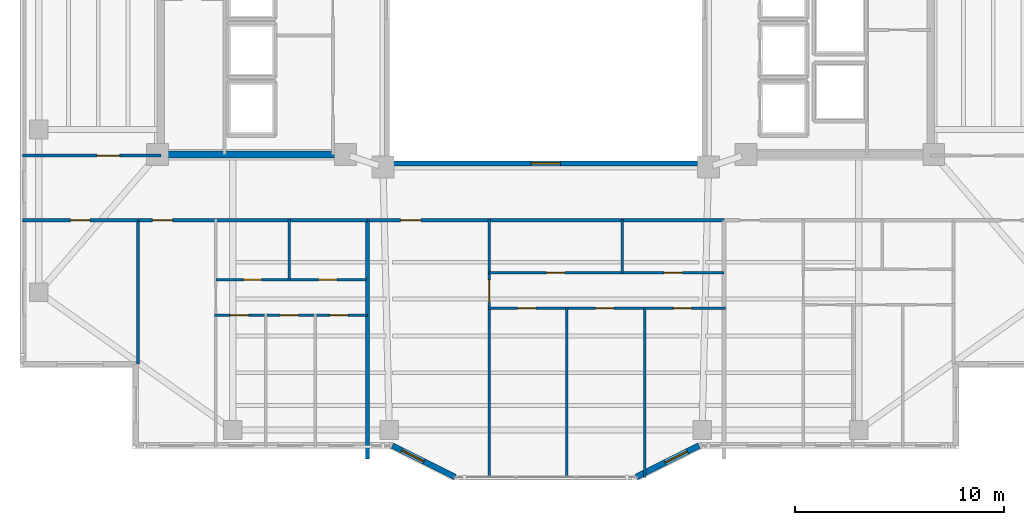
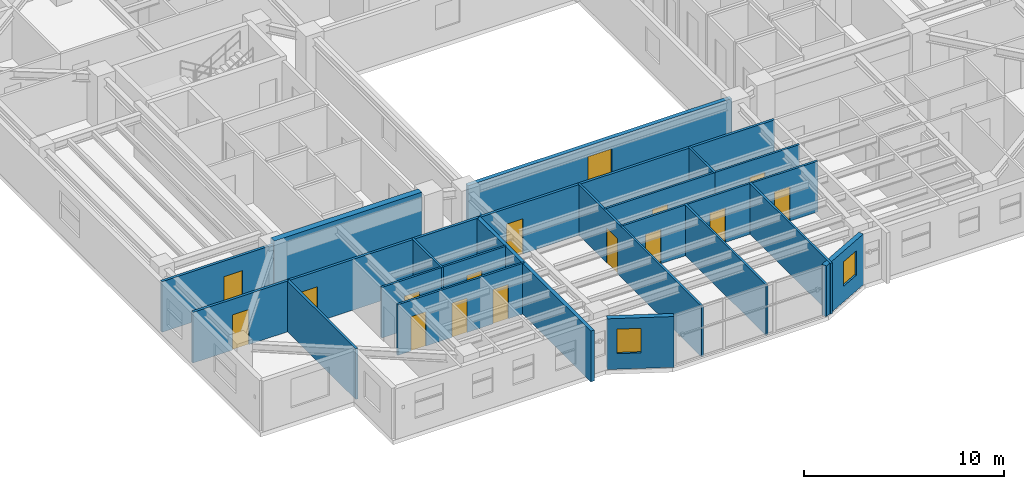
# One storey, part 6 of 16: 21 walls, 15 doors, 3 windows, 18 openings.
"""IFC4 building model written with IfcOpenShell, lengths in metres."""

import ifcopenshell
import ifcopenshell.guid

model = None  # the IFC model being written
_history = None  # IfcOwnerHistory: only IFC2X3 demands one
_inside = {}  # id of a spatial element -> (the spatial element, [elements in it])
_under = {}  # id of a project, library or spatial element -> (it, [spatial elements below it])
_declared = {}  # id of a project -> (the project, [libraries it declares])
_typed = {}  # id of a type object -> (the type object, [elements of that type])
_made_of = {}  # id of a material, layer set ... -> (it, [elements and type objects made of it])


def new_model(schema):
    """Start an empty IFC model of exactly this schema.

    Asked for "IFC4X3", IfcOpenShell would pick the latest addendum, in which some entities
    have other attributes; the version numbers below select the first issue.
    IFC2X3 requires an IfcOwnerHistory on every rooted entity: one is made here for all.
    """
    global model, _history
    if schema == "IFC4X3":
        model = ifcopenshell.file(schema_version=(4, 3, 0, 0))
    else:
        model = ifcopenshell.file(schema=schema)
    _inside.clear()
    _under.clear()
    _declared.clear()
    _typed.clear()
    _made_of.clear()
    _history = None
    if model.schema == "IFC2X3":
        org = make("IfcOrganization", Name="unknown")
        user = make(
            "IfcPersonAndOrganization",
            ThePerson=make("IfcPerson", FamilyName="unknown"),
            TheOrganization=org,
        )
        app = make(
            "IfcApplication",
            ApplicationDeveloper=org,
            Version="unknown",
            ApplicationFullName="unknown",
            ApplicationIdentifier="unknown",
        )
        _history = make(
            "IfcOwnerHistory",
            OwningUser=user,
            OwningApplication=app,
            ChangeAction="ADDED",
            CreationDate=0,
        )
    return model


def make(cls, **values):
    """One entity of the class cls with the attributes given. An attribute that is None is left unset."""
    return model.create_entity(
        cls, **{name: value for name, value in values.items() if value is not None}
    )


def rooted(cls, **values):
    """An entity with a GlobalId (a new one), such as an element, a storey or a relation."""
    return make(cls, GlobalId=ifcopenshell.guid.new(), OwnerHistory=_history, **values)


def si_unit(unit_type, name, prefix=None):
    """IfcSIUnit, for example si_unit("LENGTHUNIT", "METRE", prefix="MILLI")."""
    return make("IfcSIUnit", UnitType=unit_type, Prefix=prefix, Name=name)


def assignment(units):
    """IfcUnitAssignment: the units of a project."""
    return None if units is None else make("IfcUnitAssignment", Units=units)


def point(xyz):
    """IfcCartesianPoint."""
    return None if xyz is None else make("IfcCartesianPoint", Coordinates=xyz)


def direction(xyz):
    """IfcDirection."""
    return None if xyz is None else make("IfcDirection", DirectionRatios=xyz)


def frame(location, z_axis=None, x_axis=None):
    """IfcAxis2Placement3D, a coordinate frame: its origin and axes. An axis left out is left unset."""
    return make(
        "IfcAxis2Placement3D",
        Location=point(location),
        Axis=direction(z_axis),
        RefDirection=direction(x_axis),
    )


def frame_2d(location, x_axis=None):
    """IfcAxis2Placement2D, a coordinate frame in the plane: its origin and x axis."""
    return make(
        "IfcAxis2Placement2D", Location=point(location), RefDirection=direction(x_axis)
    )


def origin():
    """The frame at (0, 0, 0) with its axes left unset."""
    return frame((0.0, 0.0, 0.0))


def place(relative_to, where):
    """IfcLocalPlacement: puts the frame where relative to a parent placement (None: the world)."""
    return make(
        "IfcLocalPlacement", PlacementRelTo=relative_to, RelativePlacement=where
    )


def context(
    kind, dimensions, precision=None, world=None, true_north=None, identifier=None
):
    """IfcGeometricRepresentationContext, for example the 3D "Model" context."""
    return make(
        "IfcGeometricRepresentationContext",
        ContextIdentifier=identifier,
        ContextType=kind,
        CoordinateSpaceDimension=dimensions,
        Precision=precision,
        WorldCoordinateSystem=world,
        TrueNorth=true_north,
    )


def subcontext(parent, identifier, kind, view, scale=None):
    """IfcGeometricRepresentationSubContext, for example "Body" below "Model"."""
    return make(
        "IfcGeometricRepresentationSubContext",
        ContextIdentifier=identifier,
        ContextType=kind,
        ParentContext=parent,
        TargetScale=scale,
        TargetView=view,
    )


def project(units=None, contexts=None):
    """IfcProject with its units and contexts."""
    return rooted(
        "IfcProject",
        Name="project",
        RepresentationContexts=contexts,
        UnitsInContext=assignment(units),
    )


def spatial(cls, under=None, at=None, **own):
    """A site, building, storey or space (cls), placed at a placement, below another one or the project."""
    s = rooted(cls, ObjectPlacement=at, **own)
    if under is not None:
        _under.setdefault(under.id(), (under, []))[1].append(s)
    return s


def profile(cls, at=None, kind="AREA", **sizes):
    """A parametric profile (cls). Its sizes go by their IFC names, for example OverallWidth=200.0."""
    return make(cls, ProfileType=kind, Position=at, **sizes)


def rectangle(**sizes):
    """IfcRectangleProfileDef."""
    return profile("IfcRectangleProfileDef", **sizes)


def extrude(swept, where, along, depth):
    """IfcExtrudedAreaSolid: the profile swept, set in the frame where, extruded along a direction by depth."""
    return make(
        "IfcExtrudedAreaSolid",
        SweptArea=swept,
        Position=where,
        ExtrudedDirection=direction(along),
        Depth=depth,
    )


def shape(context_of_items, identifier, shape_type, items):
    """IfcShapeRepresentation: the items that make up one representation, for example the "Body"."""
    return make(
        "IfcShapeRepresentation",
        ContextOfItems=context_of_items,
        RepresentationIdentifier=identifier,
        RepresentationType=shape_type,
        Items=items,
    )


def material(Name=None, Category=None):
    """IfcMaterial."""
    return make("IfcMaterial", Name=Name, Category=Category)


def layer(
    of_material, thickness, ventilated=None, Name=None, Category=None, Priority=None
):
    """IfcMaterialLayer: one layer of a wall or slab, of a material (None: an air gap)."""
    return make(
        "IfcMaterialLayer",
        Material=of_material,
        LayerThickness=thickness,
        IsVentilated=ventilated,
        Name=Name,
        Category=Category,
        Priority=Priority,
    )


def layer_set(layers, Name=None):
    """IfcMaterialLayerSet."""
    return make("IfcMaterialLayerSet", MaterialLayers=layers, LayerSetName=Name)


def made_of(thing, what):
    """Note that an element or type object is made of a material, layer set ...; save() writes the relation."""
    if what is not None:
        _made_of.setdefault(what.id(), (what, []))[1].append(thing)
    return thing


def type_object(cls, material=None, **own):
    """A type object (cls), such as IfcWallType, which elements share."""
    return made_of(rooted(cls, **own), material)


def element(
    cls,
    number,
    at=None,
    inside=None,
    cuts=None,
    type_object=None,
    material=None,
    context=None,
    identifier="Body",
    shape_type=None,
    held_by="IfcProductDefinitionShape",
    body=None,
    shapes=None,
    **own,
):
    """One element of the class cls, such as IfcWall. Its Tag is "e" and its number.

    at: its placement. inside: the storey or other place that contains it. cuts: it is an
    opening in that element (IfcRelVoidsElement). A single representation is given by context,
    identifier, shape_type and body (its items); several are given by shapes. held_by: the class
    of the entity that holds the representations. save() writes the other relations.
    """
    e = rooted(cls, Tag="e%d" % number, ObjectPlacement=at, **own)
    if body is not None:
        shapes = [shape(context, identifier, shape_type, body)]
    if shapes is not None:
        e.Representation = make(held_by, Representations=shapes)
    if inside is not None:
        _inside.setdefault(inside.id(), (inside, []))[1].append(e)
    if cuts is not None:
        rooted(
            "IfcRelVoidsElement", RelatingBuildingElement=cuts, RelatedOpeningElement=e
        )
    if type_object is not None:
        _typed.setdefault(type_object.id(), (type_object, []))[1].append(e)
    return made_of(e, material)


def fill(opening, filler):
    """IfcRelFillsElement: the door or window that sits in an opening."""
    return rooted(
        "IfcRelFillsElement",
        RelatingOpeningElement=opening,
        RelatedBuildingElement=filler,
    )


def aggregate(whole, parts):
    """IfcRelAggregates: a whole, such as a stair, and the parts it consists of."""
    return rooted("IfcRelAggregates", RelatingObject=whole, RelatedObjects=parts)


def save(model, path):
    """Write the relations noted so far, then the file.

    IfcRelAggregates (storeys below a building ...), IfcRelContainedInSpatialStructure (elements
    in a storey), IfcRelDefinesByType, IfcRelAssociatesMaterial and IfcRelDeclares: one each for
    every whole, place, type object, material and project.
    """
    for whole, parts in _under.values():
        aggregate(whole, parts)
    for where, things in _inside.values():
        rooted(
            "IfcRelContainedInSpatialStructure",
            RelatedElements=things,
            RelatingStructure=where,
        )
    for kind, things in _typed.values():
        rooted("IfcRelDefinesByType", RelatedObjects=things, RelatingType=kind)
    for what, things in _made_of.values():
        rooted("IfcRelAssociatesMaterial", RelatedObjects=things, RelatingMaterial=what)
    for by, libraries in _declared.values():
        rooted("IfcRelDeclares", RelatingContext=by, RelatedDefinitions=libraries)
    model.write(path)


model = new_model("IFC4")

# Units and contexts
model_context = context("Model", 3, precision=1e-05, world=origin(), true_north=direction((0.0, 1.0)))
body_context = subcontext(model_context, "Body", "Model", "MODEL_VIEW")
ifc_project = project(units=[si_unit("LENGTHUNIT", "METRE"), si_unit("AREAUNIT", "SQUARE_METRE"), si_unit("VOLUMEUNIT", "CUBIC_METRE"), si_unit("PLANEANGLEUNIT", "RADIAN"), si_unit("MASSUNIT", "GRAM", prefix="KILO")], contexts=[model_context])

# Site, building, storey
site_placement = place(None, origin())
site = spatial("IfcSite", under=ifc_project, at=site_placement, CompositionType="ELEMENT")
building_placement = place(site_placement, origin())
building = spatial("IfcBuilding", under=site, at=building_placement, Name="Tarnavaz Court Tower", CompositionType="ELEMENT")
storey_placement = place(building_placement, frame((0.0, 0.0, 146.0)))
storey = spatial("IfcBuildingStorey", under=building, at=storey_placement, Name="L39", CompositionType="ELEMENT", Elevation=146.0)

# Wall
ifc_material_1 = material(Name="Concrete C50/60", Category="concrete")
ifc_layer_1 = layer(ifc_material_1, 0.35009765625)
ifc_layer_set_1 = layer_set([ifc_layer_1], Name="Concrete C50/60")
wall_type_1 = type_object("IfcWallType", Name="WL-CORE-350-C50", PredefinedType="SHEAR", material=ifc_layer_set_1)
wall_1_placement = place(storey_placement, frame((-18.625, -7.199951171875, 0.0), z_axis=(0.0, 0.0, 1.0), x_axis=(1.0, 0.0, 0.0)))
element("IfcWall", 1, at=wall_1_placement, inside=storey, type_object=wall_type_1, Name="L39 West Core South Shear Wall 058", PredefinedType="SHEAR", context=body_context, shape_type="SweptSolid", body=[
    extrude(rectangle(XDim=8.550048828125, YDim=0.35009765625, at=frame_2d((4.27490234375, 0.0))), origin(), (0.0, 0.0, 1.0), 3.35009765625),
])

# Wall, opening, window
ifc_material_2 = material(Name="Precast Concrete C40/50", Category="concrete")
ifc_layer_2 = layer(ifc_material_2, 0.280029296875)
ifc_layer_set_2 = layer_set([ifc_layer_2], Name="Precast Concrete C40/50")
wall_type_2 = type_object("IfcWallType", Name="WL-EXT-280", PredefinedType="SOLIDWALL", material=ifc_layer_set_2)
wall_2_placement = place(storey_placement, frame((7.35009765625, -21.14990234375, 0.0), z_axis=(0.0, 0.0, 1.0), x_axis=(-0.894427191, -0.4472135955, 0.0)))
wall_2 = element("IfcWall", 2, at=wall_2_placement, inside=storey, type_object=wall_type_2, Name="L39 Exterior Terracotta Facade Wall 16", PredefinedType="SOLIDWALL", context=body_context, shape_type="SweptSolid", body=[
    extrude(rectangle(XDim=3.35400390625, YDim=0.280029296875, at=frame_2d((1.677001953125, 0.0))), origin(), (0.0, 0.0, 1.0), 3.10009765625),
])
opening_1_placement = place(wall_2_placement, frame((0.62158203125, 0.0, 0.949951171875)))
opening_1 = element("IfcOpeningElement", 3, at=opening_1_placement, cuts=wall_2, Name="Opening W05", PredefinedType="OPENING", context=body_context, shape_type="SweptSolid", body=[
    extrude(rectangle(XDim=1.199951171875, YDim=1.5, at=frame_2d((0.60009765625, 0.75))), frame((0.0, 0.14990234375, 0.0), z_axis=(0.0, -1.0, 0.0), x_axis=(1.0, 0.0, 0.0)), (0.0, 0.0, 1.0), 0.300048828125),
])
ifc_material_3 = material(Name="Double-Glazed Solar Low-E Glass", Category="glass")
window_type_1 = type_object("IfcWindowType", Name="WN-APT-1200", PartitioningType="SINGLE_PANEL", PredefinedType="WINDOW", material=ifc_material_3)
window_1_placement = place(opening_1_placement, origin())
window_1 = element("IfcWindow", 4, at=window_1_placement, inside=storey, type_object=window_type_1, Name="L39 Flat 05 Bedroom 3 Window", OverallHeight=1.5, OverallWidth=1.199951171875, PartitioningType="SINGLE_PANEL", PredefinedType="WINDOW", context=body_context, shape_type="SweptSolid", body=[
    extrude(rectangle(XDim=1.199951171875, YDim=1.5, at=frame_2d((0.60009765625, 0.75))), frame((0.0, 0.030029296875, 0.0), z_axis=(0.0, -1.0, 0.0), x_axis=(1.0, 0.0, 0.0)), (0.0, 0.0, 1.0), 0.06005859375),
])
fill(opening_1, window_1)

wall_3_placement = place(storey_placement, frame((-4.35009765625, -22.64990234375, 0.0), z_axis=(0.0, 0.0, 1.0), x_axis=(-0.894427191, 0.4472135955, 0.0)))
wall_3 = element("IfcWall", 5, at=wall_3_placement, inside=storey, type_object=wall_type_2, Name="L39 Exterior Terracotta Facade Wall 18", PredefinedType="SOLIDWALL", context=body_context, shape_type="SweptSolid", body=[
    extrude(rectangle(XDim=3.35400390625, YDim=0.280029296875, at=frame_2d((1.677001953125, 0.0))), origin(), (0.0, 0.0, 1.0), 3.10009765625),
])
opening_2_placement = place(wall_3_placement, frame((1.65283203125, 0.0, 0.949951171875)))
opening_2 = element("IfcOpeningElement", 6, at=opening_2_placement, cuts=wall_3, Name="Opening W05", PredefinedType="OPENING", context=body_context, shape_type="SweptSolid", body=[
    extrude(rectangle(XDim=1.199951171875, YDim=1.5, at=frame_2d((0.60009765625, 0.75))), frame((0.0, 0.14990234375, 0.0), z_axis=(0.0, -1.0, 0.0), x_axis=(1.0, 0.0, 0.0)), (0.0, 0.0, 1.0), 0.300048828125),
])
window_2_placement = place(opening_2_placement, origin())
window_2 = element("IfcWindow", 7, at=window_2_placement, inside=storey, type_object=window_type_1, Name="L39 Flat 05 Living and Dining Room Window", OverallHeight=1.5, OverallWidth=1.199951171875, PartitioningType="SINGLE_PANEL", PredefinedType="WINDOW", context=body_context, shape_type="SweptSolid", body=[
    extrude(rectangle(XDim=1.199951171875, YDim=1.5, at=frame_2d((0.60009765625, 0.75))), frame((0.0, 0.030029296875, 0.0), z_axis=(0.0, -1.0, 0.0), x_axis=(1.0, 0.0, 0.0)), (0.0, 0.0, 1.0), 0.06005859375),
])
fill(opening_2, window_2)

# Wall, opening, door
ifc_material_4 = material(Name="Gypsum Fire-Board on Acoustic Metal Stud", Category="masonry")
ifc_layer_3 = layer(ifc_material_4, 0.14990234375)
ifc_layer_set_3 = layer_set([ifc_layer_3], Name="Gypsum Fire-Board on Acoustic Metal Stud")
wall_type_3 = type_object("IfcWallType", Name="WL-FIRE-150", PredefinedType="PARTITIONING", material=ifc_layer_set_3)
wall_4_placement = place(storey_placement, frame((-19.550048828125, -10.35009765625, 0.0), z_axis=(0.0, 0.0, 1.0), x_axis=(1.0, 0.0, 0.0)))
wall_4 = element("IfcWall", 8, at=wall_4_placement, inside=storey, type_object=wall_type_3, Name="L39 SW Horseshoe Wall 073", PredefinedType="PARTITIONING", context=body_context, shape_type="SweptSolid", body=[
    extrude(rectangle(XDim=11.0, YDim=0.14990234375, at=frame_2d((5.5, 0.0))), origin(), (0.0, 0.0, 1.0), 3.10009765625),
])
opening_3_placement = place(wall_4_placement, frame((0.699951171875, 0.0, 0.0)))
opening_3 = element("IfcOpeningElement", 9, at=opening_3_placement, cuts=wall_4, Name="Opening D06", PredefinedType="OPENING", context=body_context, shape_type="SweptSolid", body=[
    extrude(rectangle(XDim=0.9599609375, YDim=2.14990234375, at=frame_2d((0.47998046875, 1.074951171875))), frame((0.0, 0.0849609375, 0.0), z_axis=(0.0, -1.0, 0.0), x_axis=(1.0, 0.0, 0.0)), (0.0, 0.0, 1.0), 0.169921875),
])
ifc_material_5 = material(Name="Fire-Rated Hardwood Timber Core", Category="wood")
door_type_1 = type_object("IfcDoorType", Name="DR-FD60-950", OperationType="NOTDEFINED", PredefinedType="DOOR", material=ifc_material_5)
door_1_placement = place(opening_3_placement, origin())
door_1 = element("IfcDoor", 10, at=door_1_placement, inside=storey, type_object=door_type_1, Name="L39 Flat 03 Entrance Door", OperationType="SINGLE_SWING_LEFT", OverallHeight=2.14990234375, OverallWidth=0.9599609375, PredefinedType="DOOR", context=body_context, shape_type="SweptSolid", body=[
    extrude(rectangle(XDim=0.9599609375, YDim=2.14990234375, at=frame_2d((0.47998046875, 1.074951171875))), frame((0.0, 0.02490234375, 0.0), z_axis=(0.0, -1.0, 0.0), x_axis=(1.0, 0.0, 0.0)), (0.0, 0.0, 1.0), 0.050048828125),
])
fill(opening_3, door_1)

wall_5_placement = place(storey_placement, frame((-8.550048828125, -10.35009765625, 0.0), z_axis=(0.0, 0.0, 1.0), x_axis=(1.0, 0.0, 0.0)))
wall_5 = element("IfcWall", 11, at=wall_5_placement, inside=storey, type_object=wall_type_3, Name="L39 Interior Partition 106", PredefinedType="PARTITIONING", context=body_context, shape_type="SweptSolid", body=[
    extrude(rectangle(XDim=17.10009765625, YDim=0.14990234375, at=frame_2d((8.550048828125, 0.0))), origin(), (0.0, 0.0, 1.0), 3.10009765625),
])
opening_4_placement = place(wall_5_placement, frame((1.60009765625, 0.0, 0.0)))
opening_4 = element("IfcOpeningElement", 12, at=opening_4_placement, cuts=wall_5, Name="Opening D06", PredefinedType="OPENING", context=body_context, shape_type="SweptSolid", body=[
    extrude(rectangle(XDim=0.9599609375, YDim=2.14990234375, at=frame_2d((0.47998046875, 1.074951171875))), frame((0.0, 0.0849609375, 0.0), z_axis=(0.0, -1.0, 0.0), x_axis=(1.0, 0.0, 0.0)), (0.0, 0.0, 1.0), 0.169921875),
])
door_2_placement = place(opening_4_placement, origin())
door_2 = element("IfcDoor", 13, at=door_2_placement, inside=storey, type_object=door_type_1, Name="L39 Flat 05 Entrance Door", OperationType="SINGLE_SWING_LEFT", OverallHeight=2.14990234375, OverallWidth=0.9599609375, PredefinedType="DOOR", context=body_context, shape_type="SweptSolid", body=[
    extrude(rectangle(XDim=0.9599609375, YDim=2.14990234375, at=frame_2d((0.47998046875, 1.074951171875))), frame((0.0, 0.02490234375, 0.0), z_axis=(0.0, -1.0, 0.0), x_axis=(1.0, 0.0, 0.0)), (0.0, 0.0, 1.0), 0.050048828125),
])
fill(opening_4, door_2)

wall_6_placement = place(storey_placement, frame((-25.080078125, -7.25, 0.0), z_axis=(0.0, 0.0, 1.0), x_axis=(1.0, 0.0, 0.0)))
wall_6 = element("IfcWall", 14, at=wall_6_placement, inside=storey, type_object=wall_type_3, Name="L39 Interior Partition 114", PredefinedType="PARTITIONING", context=body_context, shape_type="SweptSolid", body=[
    extrude(rectangle(XDim=6.630126953125, YDim=0.14990234375, at=frame_2d((3.31494140625, 0.0))), origin(), (0.0, 0.0, 1.0), 3.10009765625),
])
opening_5_placement = place(wall_6_placement, frame((3.580078125, 0.0, 0.0)))
opening_5 = element("IfcOpeningElement", 15, at=opening_5_placement, cuts=wall_6, Name="Opening D12", PredefinedType="OPENING", context=body_context, shape_type="SweptSolid", body=[
    extrude(rectangle(XDim=1.080078125, YDim=2.14990234375, at=frame_2d((0.5400390625, 1.074951171875))), frame((0.0, 0.0849609375, 0.0), z_axis=(0.0, -1.0, 0.0), x_axis=(1.0, 0.0, 0.0)), (0.0, 0.0, 1.0), 0.169921875),
])
ifc_material_6 = material(Name="Engineered Oak Timber", Category="wood")
door_type_2 = type_object("IfcDoorType", Name="DR-INT-1100", OperationType="NOTDEFINED", PredefinedType="DOOR", material=ifc_material_6)
door_3_placement = place(opening_5_placement, origin())
door_3 = element("IfcDoor", 16, at=door_3_placement, inside=storey, type_object=door_type_2, Name="L39 West Study Gallery Door", OperationType="SINGLE_SWING_RIGHT", OverallHeight=2.14990234375, OverallWidth=1.080078125, PredefinedType="DOOR", context=body_context, shape_type="SweptSolid", body=[
    extrude(rectangle(XDim=1.080078125, YDim=2.14990234375, at=frame_2d((0.5400390625, 1.074951171875))), frame((0.0, 0.02490234375, 0.0), z_axis=(0.0, -1.0, 0.0), x_axis=(1.0, 0.0, 0.0)), (0.0, 0.0, 1.0), 0.050048828125),
])
fill(opening_5, door_3)

wall_7_placement = place(storey_placement, frame((-25.080078125, -10.35009765625, 0.0), z_axis=(0.0, 0.0, 1.0), x_axis=(1.0, 0.0, 0.0)))
wall_7 = element("IfcWall", 17, at=wall_7_placement, inside=storey, type_object=wall_type_3, Name="L39 Interior Partition 124", PredefinedType="PARTITIONING", context=body_context, shape_type="SweptSolid", body=[
    extrude(rectangle(XDim=5.530029296875, YDim=0.14990234375, at=frame_2d((2.76513671875, 0.0))), origin(), (0.0, 0.0, 1.0), 3.10009765625),
])
opening_6_placement = place(wall_7_placement, frame((2.2900390625, 0.0, 0.0)))
opening_6 = element("IfcOpeningElement", 18, at=opening_6_placement, cuts=wall_7, Name="Opening D13", PredefinedType="OPENING", context=body_context, shape_type="SweptSolid", body=[
    extrude(rectangle(XDim=0.949951171875, YDim=2.14990234375, at=frame_2d((0.47509765625, 1.074951171875))), frame((0.0, 0.0849609375, 0.0), z_axis=(0.0, -1.0, 0.0), x_axis=(1.0, 0.0, 0.0)), (0.0, 0.0, 1.0), 0.169921875),
])
door_type_3 = type_object("IfcDoorType", Name="DR-INT-950", OperationType="NOTDEFINED", PredefinedType="DOOR", material=ifc_material_6)
door_4_placement = place(opening_6_placement, origin())
door_4 = element("IfcDoor", 19, at=door_4_placement, inside=storey, type_object=door_type_3, Name="L39 SW Reading Room Door", OperationType="SINGLE_SWING_RIGHT", OverallHeight=2.14990234375, OverallWidth=0.949951171875, PredefinedType="DOOR", context=body_context, shape_type="SweptSolid", body=[
    extrude(rectangle(XDim=0.949951171875, YDim=2.14990234375, at=frame_2d((0.47509765625, 1.074951171875))), frame((0.0, 0.02490234375, 0.0), z_axis=(0.0, -1.0, 0.0), x_axis=(1.0, 0.0, 0.0)), (0.0, 0.0, 1.0), 0.050048828125),
])
fill(opening_6, door_4)

# Wall
ifc_material_7 = material(Name="Autoclaved Aerated Concrete Blockwork", Category="masonry")
ifc_layer_4 = layer(ifc_material_7, 0.199951171875)
ifc_layer_set_4 = layer_set([ifc_layer_4], Name="Autoclaved Aerated Concrete Blockwork")
wall_type_4 = type_object("IfcWallType", Name="WL-FIRE-200", PredefinedType="SOLIDWALL", material=ifc_layer_set_4)
wall_8_placement = place(storey_placement, frame((-8.550048828125, -21.803955078125, 0.0), z_axis=(0.0, 0.0, 1.0), x_axis=(0.0, 1.0, 0.0)))
element("IfcWall", 20, at=wall_8_placement, inside=storey, type_object=wall_type_4, Name="L39 Party Wall 104", PredefinedType="SOLIDWALL", context=body_context, shape_type="SweptSolid", body=[
    extrude(rectangle(XDim=11.453857421875, YDim=0.199951171875, at=frame_2d((5.72705078125, 0.0))), origin(), (0.0, 0.0, 1.0), 3.10009765625),
])

# Wall, opening, door
ifc_material_8 = material(Name="Moisture-Resistant Gypsum Board Partition", Category="masonry")
ifc_layer_5 = layer(ifc_material_8, 0.1201171875)
ifc_layer_set_5 = layer_set([ifc_layer_5], Name="Moisture-Resistant Gypsum Board Partition")
wall_type_5 = type_object("IfcWallType", Name="WL-PART-120", PredefinedType="PARTITIONING", material=ifc_layer_set_5)
wall_9_placement = place(storey_placement, frame((-15.80810546875, -13.199951171875, 0.0), z_axis=(0.0, 0.0, 1.0), x_axis=(1.0, 0.0, 0.0)))
wall_9 = element("IfcWall", 21, at=wall_9_placement, inside=storey, type_object=wall_type_5, Name="L39 Interior Partition 091", PredefinedType="PARTITIONING", context=body_context, shape_type="SweptSolid", body=[
    extrude(rectangle(XDim=3.503173828125, YDim=0.1201171875, at=frame_2d((1.75146484375, 0.0))), origin(), (0.0, 0.0, 1.0), 3.10009765625),
])
opening_7_placement = place(wall_9_placement, frame((1.31201171875, 0.0, 0.0)))
opening_7 = element("IfcOpeningElement", 22, at=opening_7_placement, cuts=wall_9, Name="Opening D14", PredefinedType="OPENING", context=body_context, shape_type="SweptSolid", body=[
    extrude(rectangle(XDim=0.8798828125, YDim=2.10009765625, at=frame_2d((0.43994140625, 1.050048828125))), frame((0.0, 0.070068359375, 0.0), z_axis=(0.0, -1.0, 0.0), x_axis=(1.0, 0.0, 0.0)), (0.0, 0.0, 1.0), 0.14013671875),
])
door_type_4 = type_object("IfcDoorType", Name="DR-INT-900", OperationType="NOTDEFINED", PredefinedType="DOOR", material=ifc_material_6)
door_5_placement = place(opening_7_placement, origin())
door_5 = element("IfcDoor", 23, at=door_5_placement, inside=storey, type_object=door_type_4, Name="L39 Flat 03 Kitchen Door", OperationType="SINGLE_SWING_LEFT", OverallHeight=2.10009765625, OverallWidth=0.8798828125, PredefinedType="DOOR", context=body_context, shape_type="SweptSolid", body=[
    extrude(rectangle(XDim=0.8798828125, YDim=2.10009765625, at=frame_2d((0.43994140625, 1.050048828125))), frame((0.0, 0.02490234375, 0.0), z_axis=(0.0, -1.0, 0.0), x_axis=(1.0, 0.0, 0.0)), (0.0, 0.0, 1.0), 0.050048828125),
])
fill(opening_7, door_5)

wall_10_placement = place(storey_placement, frame((-12.304931640625, -13.199951171875, 0.0), z_axis=(0.0, 0.0, 1.0), x_axis=(1.0, 0.0, 0.0)))
wall_10 = element("IfcWall", 24, at=wall_10_placement, inside=storey, type_object=wall_type_5, Name="L39 Interior Partition 092", PredefinedType="PARTITIONING", context=body_context, shape_type="SweptSolid", body=[
    extrude(rectangle(XDim=3.704833984375, YDim=0.1201171875, at=frame_2d((1.8525390625, 0.0))), origin(), (0.0, 0.0, 1.0), 3.10009765625),
])
opening_8_placement = place(wall_10_placement, frame((1.4130859375, 0.0, 0.0)))
opening_8 = element("IfcOpeningElement", 25, at=opening_8_placement, cuts=wall_10, Name="Opening D14", PredefinedType="OPENING", context=body_context, shape_type="SweptSolid", body=[
    extrude(rectangle(XDim=0.8798828125, YDim=2.10009765625, at=frame_2d((0.43994140625, 1.050048828125))), frame((0.0, 0.070068359375, 0.0), z_axis=(0.0, -1.0, 0.0), x_axis=(1.0, 0.0, 0.0)), (0.0, 0.0, 1.0), 0.14013671875),
])
door_6_placement = place(opening_8_placement, origin())
door_6 = element("IfcDoor", 26, at=door_6_placement, inside=storey, type_object=door_type_4, Name="L39 Flat 03 Bathroom Door", OperationType="SINGLE_SWING_RIGHT", OverallHeight=2.10009765625, OverallWidth=0.8798828125, PredefinedType="DOOR", context=body_context, shape_type="SweptSolid", body=[
    extrude(rectangle(XDim=0.8798828125, YDim=2.10009765625, at=frame_2d((0.43994140625, 1.050048828125))), frame((0.0, 0.02490234375, 0.0), z_axis=(0.0, -1.0, 0.0), x_axis=(1.0, 0.0, 0.0)), (0.0, 0.0, 1.0), 0.050048828125),
])
fill(opening_8, door_6)

# Wall, openings, doors
wall_11_placement = place(storey_placement, frame((-15.867919921875, -14.909912109375, 0.0), z_axis=(0.0, 0.0, 1.0), x_axis=(1.0, 0.0, 0.0)))
wall_11 = element("IfcWall", 27, at=wall_11_placement, inside=storey, type_object=wall_type_5, Name="L39 Interior Partition 093", PredefinedType="PARTITIONING", context=body_context, shape_type="SweptSolid", body=[
    extrude(rectangle(XDim=7.327880859375, YDim=0.1201171875, at=frame_2d((3.6640625, 0.0))), origin(), (0.0, 0.0, 1.0), 3.10009765625),
])
opening_9_placement = place(wall_11_placement, frame((0.7509765625, 0.0, 0.0)))
opening_9 = element("IfcOpeningElement", 28, at=opening_9_placement, cuts=wall_11, Name="Opening D14", PredefinedType="OPENING", context=body_context, shape_type="SweptSolid", body=[
    extrude(rectangle(XDim=0.8798828125, YDim=2.10009765625, at=frame_2d((0.43994140625, 1.050048828125))), frame((0.0, 0.070068359375, 0.0), z_axis=(0.0, -1.0, 0.0), x_axis=(1.0, 0.0, 0.0)), (0.0, 0.0, 1.0), 0.14013671875),
])
opening_10_placement = place(wall_11_placement, frame((3.134033203125, 0.0, 0.0)))
opening_10 = element("IfcOpeningElement", 29, at=opening_10_placement, cuts=wall_11, Name="Opening D14", PredefinedType="OPENING", context=body_context, shape_type="SweptSolid", body=[
    extrude(rectangle(XDim=0.8798828125, YDim=2.10009765625, at=frame_2d((0.43994140625, 1.050048828125))), frame((0.0, 0.070068359375, 0.0), z_axis=(0.0, -1.0, 0.0), x_axis=(1.0, 0.0, 0.0)), (0.0, 0.0, 1.0), 0.14013671875),
])
opening_11_placement = place(wall_11_placement, frame((5.51708984375, 0.0, 0.0)))
opening_11 = element("IfcOpeningElement", 30, at=opening_11_placement, cuts=wall_11, Name="Opening D14", PredefinedType="OPENING", context=body_context, shape_type="SweptSolid", body=[
    extrude(rectangle(XDim=0.8798828125, YDim=2.10009765625, at=frame_2d((0.43994140625, 1.050048828125))), frame((0.0, 0.070068359375, 0.0), z_axis=(0.0, -1.0, 0.0), x_axis=(1.0, 0.0, 0.0)), (0.0, 0.0, 1.0), 0.14013671875),
])
door_7_placement = place(opening_9_placement, origin())
door_7 = element("IfcDoor", 31, at=door_7_placement, inside=storey, type_object=door_type_4, Name="L39 Flat 03 Bedroom 1 Door", OperationType="SINGLE_SWING_LEFT", OverallHeight=2.10009765625, OverallWidth=0.8798828125, PredefinedType="DOOR", context=body_context, shape_type="SweptSolid", body=[
    extrude(rectangle(XDim=0.8798828125, YDim=2.10009765625, at=frame_2d((0.43994140625, 1.050048828125))), frame((0.0, 0.02490234375, 0.0), z_axis=(0.0, -1.0, 0.0), x_axis=(1.0, 0.0, 0.0)), (0.0, 0.0, 1.0), 0.050048828125),
])
fill(opening_9, door_7)
door_8_placement = place(opening_10_placement, origin())
door_8 = element("IfcDoor", 32, at=door_8_placement, inside=storey, type_object=door_type_4, Name="L39 Flat 03 Bedroom 2 Door", OperationType="SINGLE_SWING_RIGHT", OverallHeight=2.10009765625, OverallWidth=0.8798828125, PredefinedType="DOOR", context=body_context, shape_type="SweptSolid", body=[
    extrude(rectangle(XDim=0.8798828125, YDim=2.10009765625, at=frame_2d((0.43994140625, 1.050048828125))), frame((0.0, 0.02490234375, 0.0), z_axis=(0.0, -1.0, 0.0), x_axis=(1.0, 0.0, 0.0)), (0.0, 0.0, 1.0), 0.050048828125),
])
fill(opening_10, door_8)
door_9_placement = place(opening_11_placement, origin())
door_9 = element("IfcDoor", 33, at=door_9_placement, inside=storey, type_object=door_type_4, Name="L39 Flat 03 Bedroom 3 Door", OperationType="SINGLE_SWING_LEFT", OverallHeight=2.10009765625, OverallWidth=0.8798828125, PredefinedType="DOOR", context=body_context, shape_type="SweptSolid", body=[
    extrude(rectangle(XDim=0.8798828125, YDim=2.10009765625, at=frame_2d((0.43994140625, 1.050048828125))), frame((0.0, 0.02490234375, 0.0), z_axis=(0.0, -1.0, 0.0), x_axis=(1.0, 0.0, 0.0)), (0.0, 0.0, 1.0), 0.050048828125),
])
fill(opening_11, door_9)

# Wall
wall_12_placement = place(storey_placement, frame((-12.304931640625, -13.260009765625, 0.0), z_axis=(0.0, 0.0, 1.0), x_axis=(0.0, 1.0, 0.0)))
element("IfcWall", 34, at=wall_12_placement, inside=storey, type_object=wall_type_5, Name="L39 Interior Partition 094", PredefinedType="PARTITIONING", context=body_context, shape_type="SweptSolid", body=[
    extrude(rectangle(XDim=2.969970703125, YDim=0.1201171875, at=frame_2d((1.48486328125, 0.0))), origin(), (0.0, 0.0, 1.0), 3.10009765625),
])

# Wall, opening, door
wall_13_placement = place(storey_placement, frame((-2.714111328125, -22.679931640625, 0.0), z_axis=(0.0, 0.0, 1.0), x_axis=(0.0, 1.0, 0.0)))
wall_13 = element("IfcWall", 35, at=wall_13_placement, inside=storey, type_object=wall_type_5, Name="L39 Interior Partition 107", PredefinedType="PARTITIONING", context=body_context, shape_type="SweptSolid", body=[
    extrude(rectangle(XDim=12.389892578125, YDim=0.1201171875, at=frame_2d((6.19482421875, 0.0))), origin(), (0.0, 0.0, 1.0), 3.10009765625),
])
opening_12_placement = place(wall_13_placement, frame((8.39501953125, 0.0, 0.0)))
opening_12 = element("IfcOpeningElement", 36, at=opening_12_placement, cuts=wall_13, Name="Opening D12", PredefinedType="OPENING", context=body_context, shape_type="SweptSolid", body=[
    extrude(rectangle(XDim=1.080078125, YDim=2.14990234375, at=frame_2d((0.5400390625, 1.074951171875))), frame((0.0, 0.070068359375, 0.0), z_axis=(0.0, -1.0, 0.0), x_axis=(1.0, 0.0, 0.0)), (0.0, 0.0, 1.0), 0.14013671875),
])
door_10_placement = place(opening_12_placement, origin())
door_10 = element("IfcDoor", 37, at=door_10_placement, inside=storey, type_object=door_type_2, Name="L39 Flat 05 Foyer Door", OperationType="SINGLE_SWING_RIGHT", OverallHeight=2.14990234375, OverallWidth=1.080078125, PredefinedType="DOOR", context=body_context, shape_type="SweptSolid", body=[
    extrude(rectangle(XDim=1.080078125, YDim=2.14990234375, at=frame_2d((0.5400390625, 1.074951171875))), frame((0.0, 0.02490234375, 0.0), z_axis=(0.0, -1.0, 0.0), x_axis=(1.0, 0.0, 0.0)), (0.0, 0.0, 1.0), 0.050048828125),
])
fill(opening_12, door_10)

wall_14_placement = place(storey_placement, frame((-2.714111328125, -12.860107421875, 0.0), z_axis=(0.0, 0.0, 1.0), x_axis=(1.0, 0.0, 0.0)))
wall_14 = element("IfcWall", 38, at=wall_14_placement, inside=storey, type_object=wall_type_5, Name="L39 Interior Partition 108", PredefinedType="PARTITIONING", context=body_context, shape_type="SweptSolid", body=[
    extrude(rectangle(XDim=6.381103515625, YDim=0.1201171875, at=frame_2d((3.1904296875, 0.0))), origin(), (0.0, 0.0, 1.0), 3.10009765625),
])
opening_13_placement = place(wall_14_placement, frame((2.7509765625, 0.0, 0.0)))
opening_13 = element("IfcOpeningElement", 39, at=opening_13_placement, cuts=wall_14, Name="Opening D14", PredefinedType="OPENING", context=body_context, shape_type="SweptSolid", body=[
    extrude(rectangle(XDim=0.8798828125, YDim=2.10009765625, at=frame_2d((0.43994140625, 1.050048828125))), frame((0.0, 0.070068359375, 0.0), z_axis=(0.0, -1.0, 0.0), x_axis=(1.0, 0.0, 0.0)), (0.0, 0.0, 1.0), 0.14013671875),
])
door_11_placement = place(opening_13_placement, origin())
door_11 = element("IfcDoor", 40, at=door_11_placement, inside=storey, type_object=door_type_4, Name="L39 Flat 05 Kitchen Door", OperationType="SINGLE_SWING_LEFT", OverallHeight=2.10009765625, OverallWidth=0.8798828125, PredefinedType="DOOR", context=body_context, shape_type="SweptSolid", body=[
    extrude(rectangle(XDim=0.8798828125, YDim=2.10009765625, at=frame_2d((0.43994140625, 1.050048828125))), frame((0.0, 0.02490234375, 0.0), z_axis=(0.0, -1.0, 0.0), x_axis=(1.0, 0.0, 0.0)), (0.0, 0.0, 1.0), 0.050048828125),
])
fill(opening_13, door_11)

wall_15_placement = place(storey_placement, frame((3.6669921875, -12.860107421875, 0.0), z_axis=(0.0, 0.0, 1.0), x_axis=(1.0, 0.0, 0.0)))
wall_15 = element("IfcWall", 41, at=wall_15_placement, inside=storey, type_object=wall_type_5, Name="L39 Interior Partition 109", PredefinedType="PARTITIONING", context=body_context, shape_type="SweptSolid", body=[
    extrude(rectangle(XDim=4.883056640625, YDim=0.1201171875, at=frame_2d((2.44140625, 0.0))), origin(), (0.0, 0.0, 1.0), 3.10009765625),
])
opening_14_placement = place(wall_15_placement, frame((2.001953125, 0.0, 0.0)))
opening_14 = element("IfcOpeningElement", 42, at=opening_14_placement, cuts=wall_15, Name="Opening D14", PredefinedType="OPENING", context=body_context, shape_type="SweptSolid", body=[
    extrude(rectangle(XDim=0.8798828125, YDim=2.10009765625, at=frame_2d((0.43994140625, 1.050048828125))), frame((0.0, 0.070068359375, 0.0), z_axis=(0.0, -1.0, 0.0), x_axis=(1.0, 0.0, 0.0)), (0.0, 0.0, 1.0), 0.14013671875),
])
door_12_placement = place(opening_14_placement, origin())
door_12 = element("IfcDoor", 43, at=door_12_placement, inside=storey, type_object=door_type_4, Name="L39 Flat 05 Bathroom Door", OperationType="SINGLE_SWING_RIGHT", OverallHeight=2.10009765625, OverallWidth=0.8798828125, PredefinedType="DOOR", context=body_context, shape_type="SweptSolid", body=[
    extrude(rectangle(XDim=0.8798828125, YDim=2.10009765625, at=frame_2d((0.43994140625, 1.050048828125))), frame((0.0, 0.02490234375, 0.0), z_axis=(0.0, -1.0, 0.0), x_axis=(1.0, 0.0, 0.0)), (0.0, 0.0, 1.0), 0.050048828125),
])
fill(opening_14, door_12)

# Wall, openings, doors
wall_16_placement = place(storey_placement, frame((-2.77392578125, -14.570068359375, 0.0), z_axis=(0.0, 0.0, 1.0), x_axis=(1.0, 0.0, 0.0)))
wall_16 = element("IfcWall", 44, at=wall_16_placement, inside=storey, type_object=wall_type_5, Name="L39 Interior Partition 110", PredefinedType="PARTITIONING", context=body_context, shape_type="SweptSolid", body=[
    extrude(rectangle(XDim=11.384033203125, YDim=0.1201171875, at=frame_2d((5.69189453125, 0.0))), origin(), (0.0, 0.0, 1.0), 3.10009765625),
])
opening_15_placement = place(wall_16_placement, frame((1.426025390625, 0.0, 0.0)))
opening_15 = element("IfcOpeningElement", 45, at=opening_15_placement, cuts=wall_16, Name="Opening D14", PredefinedType="OPENING", context=body_context, shape_type="SweptSolid", body=[
    extrude(rectangle(XDim=0.8798828125, YDim=2.10009765625, at=frame_2d((0.43994140625, 1.050048828125))), frame((0.0, 0.070068359375, 0.0), z_axis=(0.0, -1.0, 0.0), x_axis=(1.0, 0.0, 0.0)), (0.0, 0.0, 1.0), 0.14013671875),
])
opening_16_placement = place(wall_16_placement, frame((5.156982421875, 0.0, 0.0)))
opening_16 = element("IfcOpeningElement", 46, at=opening_16_placement, cuts=wall_16, Name="Opening D14", PredefinedType="OPENING", context=body_context, shape_type="SweptSolid", body=[
    extrude(rectangle(XDim=0.8798828125, YDim=2.10009765625, at=frame_2d((0.43994140625, 1.050048828125))), frame((0.0, 0.070068359375, 0.0), z_axis=(0.0, -1.0, 0.0), x_axis=(1.0, 0.0, 0.0)), (0.0, 0.0, 1.0), 0.14013671875),
])
opening_17_placement = place(wall_16_placement, frame((8.887939453125, 0.0, 0.0)))
opening_17 = element("IfcOpeningElement", 47, at=opening_17_placement, cuts=wall_16, Name="Opening D14", PredefinedType="OPENING", context=body_context, shape_type="SweptSolid", body=[
    extrude(rectangle(XDim=0.8798828125, YDim=2.10009765625, at=frame_2d((0.43994140625, 1.050048828125))), frame((0.0, 0.070068359375, 0.0), z_axis=(0.0, -1.0, 0.0), x_axis=(1.0, 0.0, 0.0)), (0.0, 0.0, 1.0), 0.14013671875),
])
door_13_placement = place(opening_15_placement, origin())
door_13 = element("IfcDoor", 48, at=door_13_placement, inside=storey, type_object=door_type_4, Name="L39 Flat 05 Bedroom 1 Door", OperationType="SINGLE_SWING_LEFT", OverallHeight=2.10009765625, OverallWidth=0.8798828125, PredefinedType="DOOR", context=body_context, shape_type="SweptSolid", body=[
    extrude(rectangle(XDim=0.8798828125, YDim=2.10009765625, at=frame_2d((0.43994140625, 1.050048828125))), frame((0.0, 0.02490234375, 0.0), z_axis=(0.0, -1.0, 0.0), x_axis=(1.0, 0.0, 0.0)), (0.0, 0.0, 1.0), 0.050048828125),
])
fill(opening_15, door_13)
door_14_placement = place(opening_16_placement, origin())
door_14 = element("IfcDoor", 49, at=door_14_placement, inside=storey, type_object=door_type_4, Name="L39 Flat 05 Bedroom 2 Door", OperationType="SINGLE_SWING_RIGHT", OverallHeight=2.10009765625, OverallWidth=0.8798828125, PredefinedType="DOOR", context=body_context, shape_type="SweptSolid", body=[
    extrude(rectangle(XDim=0.8798828125, YDim=2.10009765625, at=frame_2d((0.43994140625, 1.050048828125))), frame((0.0, 0.02490234375, 0.0), z_axis=(0.0, -1.0, 0.0), x_axis=(1.0, 0.0, 0.0)), (0.0, 0.0, 1.0), 0.050048828125),
])
fill(opening_16, door_14)
door_15_placement = place(opening_17_placement, origin())
door_15 = element("IfcDoor", 50, at=door_15_placement, inside=storey, type_object=door_type_4, Name="L39 Flat 05 Bedroom 3 Door", OperationType="SINGLE_SWING_LEFT", OverallHeight=2.10009765625, OverallWidth=0.8798828125, PredefinedType="DOOR", context=body_context, shape_type="SweptSolid", body=[
    extrude(rectangle(XDim=0.8798828125, YDim=2.10009765625, at=frame_2d((0.43994140625, 1.050048828125))), frame((0.0, 0.02490234375, 0.0), z_axis=(0.0, -1.0, 0.0), x_axis=(1.0, 0.0, 0.0)), (0.0, 0.0, 1.0), 0.050048828125),
])
fill(opening_17, door_15)

# Walls
wall_17_placement = place(storey_placement, frame((3.6669921875, -12.919921875, 0.0), z_axis=(0.0, 0.0, 1.0), x_axis=(0.0, 1.0, 0.0)))
element("IfcWall", 51, at=wall_17_placement, inside=storey, type_object=wall_type_5, Name="L39 Interior Partition 111", PredefinedType="PARTITIONING", context=body_context, shape_type="SweptSolid", body=[
    extrude(rectangle(XDim=2.6298828125, YDim=0.1201171875, at=frame_2d((1.31494140625, 0.0))), origin(), (0.0, 0.0, 1.0), 3.10009765625),
])
for number, where, z_axis, x_axis, name in (
    (52, (1.01708984375, -22.679931640625, 0.0), (0.0, 0.0, 1.0), (0.0, 1.0, 0.0), "L39 Interior Partition 112"),
    (53, (4.7490234375, -22.679931640625, 0.0), (0.0, 0.0, 1.0), (0.0, 1.0, 0.0), "L39 Interior Partition 113"),
):
    element("IfcWall", number, at=place(storey_placement, frame(where, z_axis=z_axis, x_axis=x_axis)), inside=storey, type_object=wall_type_5, Name=name, PredefinedType="PARTITIONING", context=body_context, shape_type="SweptSolid", body=[
        extrude(rectangle(XDim=8.169921875, YDim=0.1201171875, at=frame_2d((4.0849609375, 0.0))), origin(), (0.0, 0.0, 1.0), 3.10009765625),
    ])
ifc_material_9 = material(Name="Gypsum Plasterboard Acoustic Partition", Category="masonry")
ifc_layer_6 = layer(ifc_material_9, 0.139892578125)
ifc_layer_set_6 = layer_set([ifc_layer_6], Name="Gypsum Plasterboard Acoustic Partition")
wall_type_6 = type_object("IfcWallType", Name="WL-PART-150", PredefinedType="PARTITIONING", material=ifc_layer_set_6)
wall_18_placement = place(storey_placement, frame((-19.550048828125, -17.25, 0.0), z_axis=(0.0, 0.0, 1.0), x_axis=(0.0, 1.0, 0.0)))
element("IfcWall", 54, at=wall_18_placement, inside=storey, type_object=wall_type_6, Name="L39 Interior Partition 118", PredefinedType="PARTITIONING", context=body_context, shape_type="SweptSolid", body=[
    extrude(rectangle(XDim=6.89990234375, YDim=0.139892578125, at=frame_2d((3.449951171875, 0.0))), origin(), (0.0, 0.0, 1.0), 3.10009765625),
])

# Wall, opening, window
ifc_layer_7 = layer(ifc_material_2, 0.239990234375)
ifc_layer_set_7 = layer_set([ifc_layer_7], Name="Precast Concrete C40/50")
wall_type_7 = type_object("IfcWallType", Name="WL-WELL-240", PredefinedType="SOLIDWALL", material=ifc_layer_set_7)
wall_19_placement = place(storey_placement, frame((-7.6201171875, -7.6201171875, 0.0), z_axis=(0.0, 0.0, 1.0), x_axis=(1.0, 0.0, 0.0)))
wall_19 = element("IfcWall", 55, at=wall_19_placement, inside=storey, type_object=wall_type_7, Name="L39 Badgir Light-Well Exterior Wall S", PredefinedType="SOLIDWALL", context=body_context, shape_type="SweptSolid", body=[
    extrude(rectangle(XDim=15.240234375, YDim=0.239990234375, at=frame_2d((7.6201171875, 0.0))), origin(), (0.0, 0.0, 1.0), 3.10009765625),
])
opening_18_placement = place(wall_19_placement, frame((6.919921875, 0.0, 0.949951171875)))
opening_18 = element("IfcOpeningElement", 56, at=opening_18_placement, cuts=wall_19, Name="Opening W13", PredefinedType="OPENING", context=body_context, shape_type="SweptSolid", body=[
    extrude(rectangle(XDim=1.39990234375, YDim=1.5, at=frame_2d((0.699951171875, 0.75))), frame((0.0, 0.1298828125, 0.0), z_axis=(0.0, -1.0, 0.0), x_axis=(1.0, 0.0, 0.0)), (0.0, 0.0, 1.0), 0.260009765625),
])
window_type_2 = type_object("IfcWindowType", Name="WN-WEL-1400", PartitioningType="SINGLE_PANEL", PredefinedType="WINDOW", material=ifc_material_3)
window_3_placement = place(opening_18_placement, origin())
window_3 = element("IfcWindow", 57, at=window_3_placement, inside=storey, type_object=window_type_2, Name="L39 Courtyard Gallery Window S", OverallHeight=1.5, OverallWidth=1.39990234375, PartitioningType="SINGLE_PANEL", PredefinedType="WINDOW", context=body_context, shape_type="SweptSolid", body=[
    extrude(rectangle(XDim=1.39990234375, YDim=1.5, at=frame_2d((0.699951171875, 0.75))), frame((0.0, 0.030029296875, 0.0), z_axis=(0.0, -1.0, 0.0), x_axis=(1.0, 0.0, 0.0)), (0.0, 0.0, 1.0), 0.06005859375),
])
fill(opening_18, window_3)

save(model, "model.ifc")
